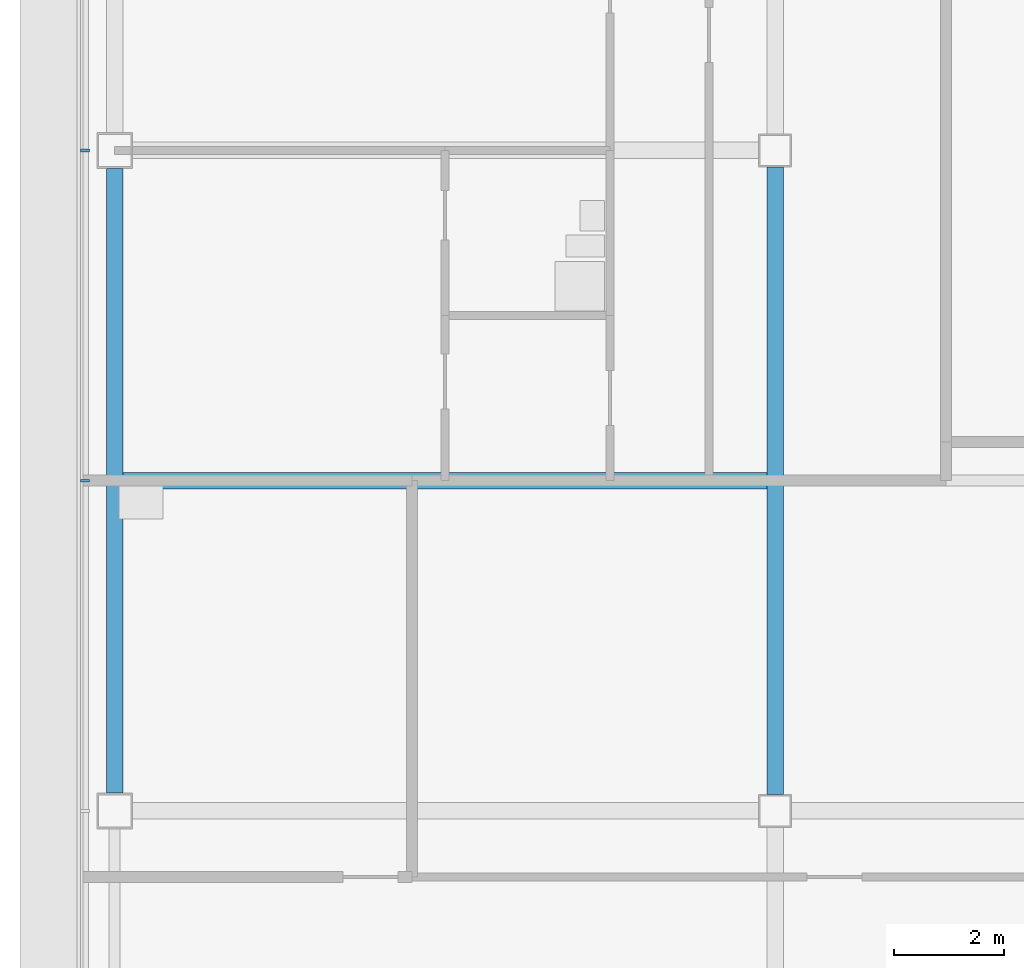
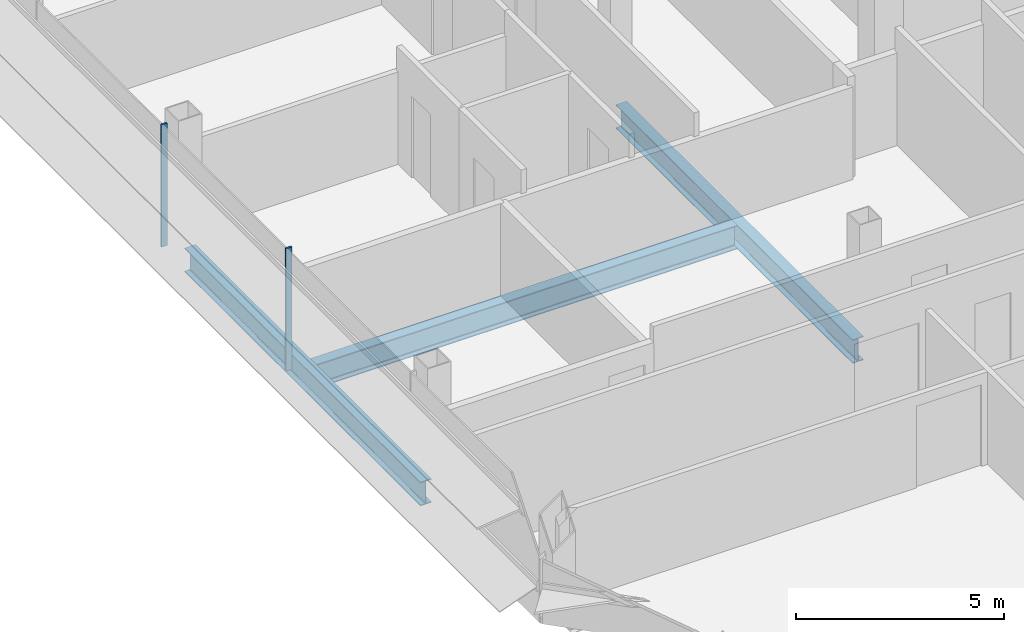
# One storey, part 4 of 27: 3 beams, 2 members, 1 element without a shape of its own.
"""IFC4 building model written with IfcOpenShell, lengths in metres."""

from ifc_helpers import new_model, si_unit, direction, frame, origin, origin_2d, place, context, subcontext, project, spatial, rectangle, i_section, extrude, material, material_profile, profile_set, type_object, element, aggregate, save


model = new_model("IFC4")

# Units and contexts
model_context = context("Model", 3, precision=1e-05, world=origin(), true_north=direction((0.0, 1.0)))
body_context = subcontext(model_context, "Body", "Model", "MODEL_VIEW")
ifc_project = project(units=[si_unit("LENGTHUNIT", "METRE"), si_unit("AREAUNIT", "SQUARE_METRE"), si_unit("VOLUMEUNIT", "CUBIC_METRE"), si_unit("PLANEANGLEUNIT", "RADIAN"), si_unit("MASSUNIT", "GRAM", prefix="KILO")], contexts=[model_context])

# Site, building, storey
site_placement = place(None, origin())
site = spatial("IfcSite", under=ifc_project, at=site_placement, CompositionType="ELEMENT")
building_placement = place(site_placement, origin())
building = spatial("IfcBuilding", under=site, at=building_placement, Name="Sorahane Residences", CompositionType="ELEMENT")
storey_placement = place(building_placement, frame((0.0, 0.0, 226.199951171875)))
storey = spatial("IfcBuildingStorey", under=building, at=storey_placement, Name="L53", CompositionType="ELEMENT", Elevation=226.199951171875)

# Curtain wall, members
ifc_material_1 = material(Name="Dark low-e glass and black anodised aluminium", Category="aluminium")
curtain_wall_type = type_object("IfcCurtainWallType", Name="Curtain wall CW-1 Typical unitised wall", PredefinedType="NOTDEFINED", material=ifc_material_1)
curtain_wall_placement = place(storey_placement, origin())
curtain_wall = element("IfcCurtainWall", 1, at=curtain_wall_placement, inside=storey, type_object=curtain_wall_type, Name="CW-1 curtain wall L53 W1", PredefinedType="NOTDEFINED")
ifc_material_2 = material(Name="Black anodised aluminium", Category="aluminium")
ifc_material_profile_1 = material_profile(ifc_material_2, rectangle(XDim=0.159912109375, YDim=0.050048828125, at=origin_2d()), Name="Curtain wall mullion CW-1 black anodised aluminium 50x160")
ifc_profile_set_1 = profile_set([ifc_material_profile_1], Name="Black anodised aluminium")
member_type = type_object("IfcMemberType", Name="Curtain wall mullion CW-1 black anodised aluminium 50x160", PredefinedType="MULLION", material=ifc_profile_set_1)
member_1_placement = place(storey_placement, frame((-12.5400390625, 24.0, -0.179931640625), z_axis=(0.0, 0.0, 1.0), x_axis=(-1.0, 0.0, 0.0)))
member_1 = element("IfcMember", 2, at=member_1_placement, type_object=member_type, Name="CW-1 mullion L53 W1.4", PredefinedType="MULLION", context=body_context, shape_type="SweptSolid", body=[
    extrude(rectangle(XDim=0.159912109375, YDim=0.050048828125, at=origin_2d()), origin(), (0.0, 0.0, 1.0), 3.60009765625),
])
member_2_placement = place(storey_placement, frame((-12.5400390625, 18.0, -0.179931640625), z_axis=(0.0, 0.0, 1.0), x_axis=(-1.0, 0.0, 0.0)))
member_2 = element("IfcMember", 3, at=member_2_placement, type_object=member_type, Name="CW-1 mullion L53 W1.5", PredefinedType="MULLION", context=body_context, shape_type="SweptSolid", body=[
    extrude(rectangle(XDim=0.159912109375, YDim=0.050048828125, at=origin_2d()), origin(), (0.0, 0.0, 1.0), 3.60009765625),
])
aggregate(curtain_wall, [member_1, member_2])

# Beams
ifc_material_3 = material(Name="Steel Q355B", Category="steel")
ifc_material_profile_2 = material_profile(ifc_material_3, i_section(OverallWidth=0.300048828125, OverallDepth=0.699951171875, WebThickness=0.012939453125, FlangeThickness=0.02392578125, FilletRadius=0.028076171875, at=origin_2d()), Name="HN 700x300x13x24")
ifc_profile_set_2 = profile_set([ifc_material_profile_2], Name="Steel Q355B")
beam_type = type_object("IfcBeamType", Name="Steel floor beam HN 700x300x13x24 Q355B", PredefinedType="BEAM", material=ifc_profile_set_2)
beam_1_placement = place(storey_placement, frame((-12.0, 12.324951171875, -0.530029296875), z_axis=(0.0, 1.0, 0.0), x_axis=(-1.0, 0.0, 0.0)))
element("IfcBeam", 4, at=beam_1_placement, inside=storey, type_object=beam_type, Name="Beam L53 021", PredefinedType="BEAM", context=body_context, shape_type="SweptSolid", body=[
    extrude(i_section(OverallWidth=0.300048828125, OverallDepth=0.699951171875, WebThickness=0.012939453125, FlangeThickness=0.02392578125, FilletRadius=0.028076171875, at=origin_2d()), origin(), (0.0, 0.0, 1.0), 11.35009765625),
])
beam_2_placement = place(storey_placement, frame((0.0, 12.300048828125, -0.530029296875), z_axis=(0.0, 1.0, 0.0), x_axis=(-1.0, 0.0, 0.0)))
element("IfcBeam", 5, at=beam_2_placement, inside=storey, type_object=beam_type, Name="Beam L53 025", PredefinedType="BEAM", context=body_context, shape_type="SweptSolid", body=[
    extrude(i_section(OverallWidth=0.300048828125, OverallDepth=0.699951171875, WebThickness=0.012939453125, FlangeThickness=0.02392578125, FilletRadius=0.028076171875, at=origin_2d()), origin(), (0.0, 0.0, 1.0), 11.39990234375),
])
beam_3_placement = place(storey_placement, frame((-11.85009765625, 18.0, -0.530029296875), z_axis=(1.0, 0.0, 0.0), x_axis=(0.0, 1.0, 0.0)))
element("IfcBeam", 6, at=beam_3_placement, inside=storey, type_object=beam_type, Name="Beam L53 078", PredefinedType="BEAM", context=body_context, shape_type="SweptSolid", body=[
    extrude(i_section(OverallWidth=0.300048828125, OverallDepth=0.699951171875, WebThickness=0.012939453125, FlangeThickness=0.02392578125, FilletRadius=0.028076171875, at=origin_2d()), origin(), (0.0, 0.0, 1.0), 11.7001953125),
])

save(model, "model.ifc")
